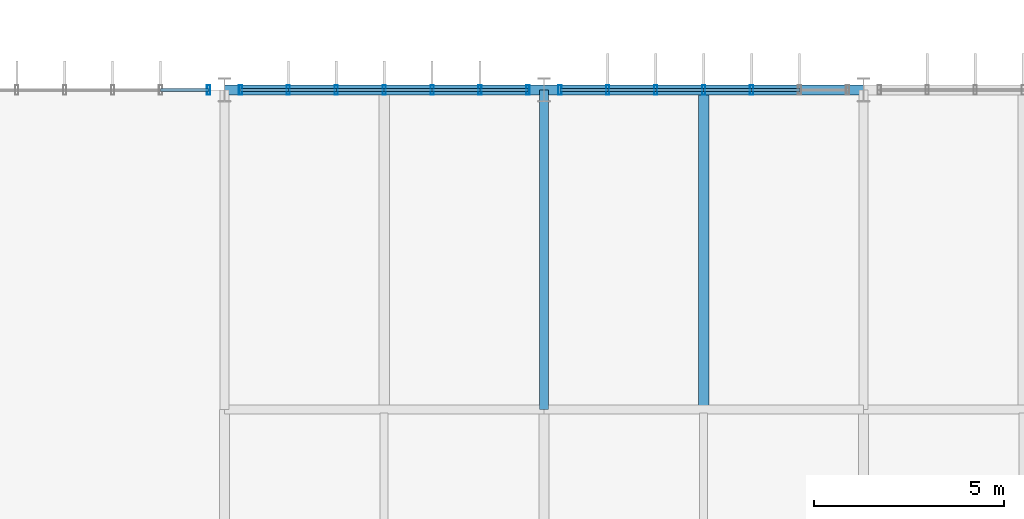
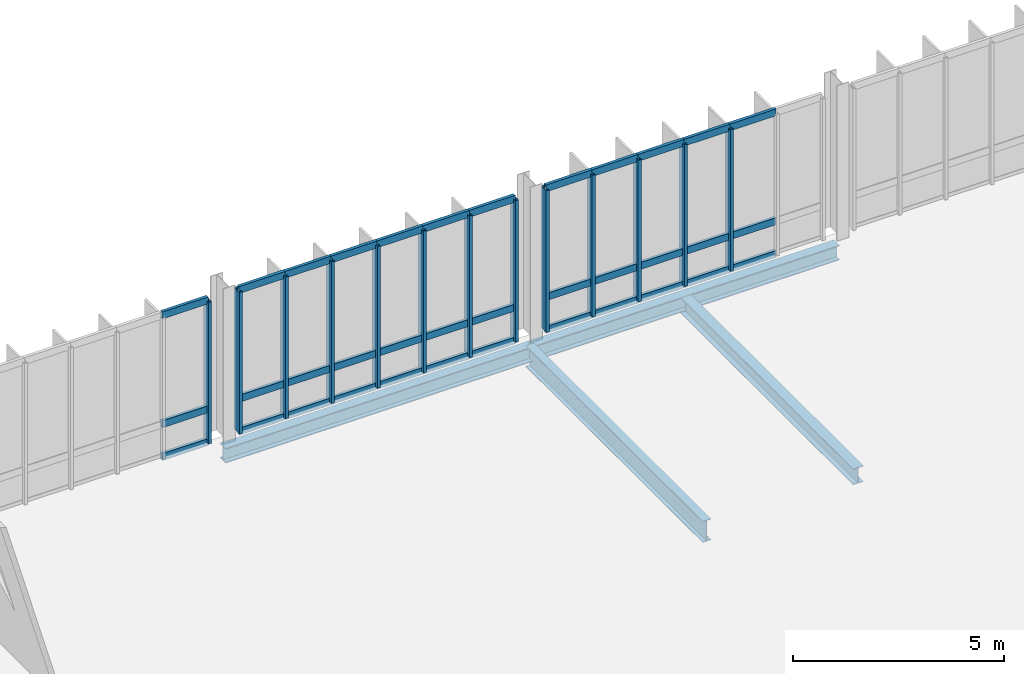
# One storey, part 71 of 139: 49 members, 4 beams, 3 elements without a shape of their own.
"""IFC4 building model written with IfcOpenShell, lengths in metres."""

from ifc_helpers import new_model, si_unit, derived_unit, direction, frame, origin, origin_2d, place, context, subcontext, project, spatial, hollow_rectangle, i_section, extrude, material, layer, layer_set, material_profile, profile_set, type_object, element, aggregate, save


model = new_model("IFC4")

# Units and contexts
model_context = context("Model", 3, precision=1e-05, world=origin(), true_north=direction((0.0, 1.0)))
body_context = subcontext(model_context, "Body", "Model", "MODEL_VIEW")
ifc_project = project(units=[si_unit("LENGTHUNIT", "METRE"), si_unit("AREAUNIT", "SQUARE_METRE"), si_unit("VOLUMEUNIT", "CUBIC_METRE"), si_unit("PLANEANGLEUNIT", "RADIAN"), si_unit("MASSUNIT", "GRAM", prefix="KILO"), derived_unit("THERMALTRANSMITTANCEUNIT", [(si_unit("MASSUNIT", "GRAM", prefix="KILO"), 1), (si_unit("TIMEUNIT", "SECOND"), -3), (si_unit("THERMODYNAMICTEMPERATUREUNIT", "KELVIN"), -1)])], contexts=[model_context])

# Site, building, storey
site_placement = place(None, origin())
site = spatial("IfcSite", under=ifc_project, at=site_placement, CompositionType="ELEMENT")
building_placement = place(site_placement, origin())
building = spatial("IfcBuilding", under=site, at=building_placement, Name="Makaiwela Harbour Ferry Terminal", CompositionType="ELEMENT")
storey_placement = place(building_placement, frame((0.0, 0.0, 5.10009765625)))
storey = spatial("IfcBuildingStorey", under=building, at=storey_placement, Name="L01", CompositionType="ELEMENT", Elevation=5.10009765625)

# Curtain wall, member
ifc_material_1 = material(Name="Marine anodised aluminium 6063-T6", Category="aluminium")
ifc_layer = layer(ifc_material_1, 0.199951171875)
ifc_layer_set = layer_set([ifc_layer], Name="Marine anodised aluminium 6063-T6")
curtain_wall_type = type_object("IfcCurtainWallType", Name="ENV-CW-08", PredefinedType="USERDEFINED", material=ifc_layer_set)
curtain_wall_1_placement = place(storey_placement, origin())
curtain_wall_1 = element("IfcCurtainWall", 1, at=curtain_wall_1_placement, inside=storey, type_object=curtain_wall_type, Name="Unitised Curtain Wall CWA-084", ObjectType="UNITIZED CURTAIN WALL", PredefinedType="USERDEFINED")
ifc_material_profile_1 = material_profile(ifc_material_1, hollow_rectangle(XDim=0.0849609375, YDim=0.25, WallThickness=0.0048828125, at=origin_2d()), Name="CWM-250X85")
ifc_profile_set_1 = profile_set([ifc_material_profile_1], Name="Marine anodised aluminium 6063-T6")
member_type_1 = type_object("IfcMemberType", Name="CW-MUL-250", PredefinedType="MULLION", material=ifc_profile_set_1)
member_1_placement = place(storey_placement, frame((112.97998046875, 103.39990234375, 0.0), z_axis=(0.0, 0.0, 1.0), x_axis=(1.0, 0.0, 0.0)))
member_1 = element("IfcMember", 2, at=member_1_placement, type_object=member_type_1, Name="Curtain Wall Mullion CWA-084-7", PredefinedType="MULLION", context=body_context, shape_type="SweptSolid", body=[
    extrude(hollow_rectangle(XDim=0.0849609375, YDim=0.25, WallThickness=0.0048828125, at=origin_2d()), origin(), (0.0, 0.0, 1.0), 4.099853515625),
])

# Curtain wall, members
curtain_wall_2_placement = place(storey_placement, origin())
curtain_wall_2 = element("IfcCurtainWall", 3, at=curtain_wall_2_placement, inside=storey, type_object=curtain_wall_type, Name="Unitised Curtain Wall CWA-087", ObjectType="UNITIZED CURTAIN WALL", PredefinedType="USERDEFINED")
member_2_placement = place(storey_placement, frame((113.820068359375, 103.39990234375, 0.0), z_axis=(0.0, 0.0, 1.0), x_axis=(1.0, 0.0, 0.0)))
member_2 = element("IfcMember", 4, at=member_2_placement, type_object=member_type_1, Name="Curtain Wall Mullion CWA-087-1", PredefinedType="MULLION", context=body_context, shape_type="SweptSolid", body=[
    extrude(hollow_rectangle(XDim=0.0849609375, YDim=0.25, WallThickness=0.0048828125, at=origin_2d()), origin(), (0.0, 0.0, 1.0), 4.099853515625),
])
member_3_placement = place(storey_placement, frame((115.080078125, 103.39990234375, 0.0), z_axis=(0.0, 0.0, 1.0), x_axis=(1.0, 0.0, 0.0)))
member_3 = element("IfcMember", 5, at=member_3_placement, type_object=member_type_1, Name="Curtain Wall Mullion CWA-087-2", PredefinedType="MULLION", context=body_context, shape_type="SweptSolid", body=[
    extrude(hollow_rectangle(XDim=0.0849609375, YDim=0.25, WallThickness=0.0048828125, at=origin_2d()), origin(), (0.0, 0.0, 1.0), 4.099853515625),
])
member_4_placement = place(storey_placement, frame((116.340087890625, 103.39990234375, 0.0), z_axis=(0.0, 0.0, 1.0), x_axis=(1.0, 0.0, 0.0)))
member_4 = element("IfcMember", 6, at=member_4_placement, type_object=member_type_1, Name="Curtain Wall Mullion CWA-087-3", PredefinedType="MULLION", context=body_context, shape_type="SweptSolid", body=[
    extrude(hollow_rectangle(XDim=0.0849609375, YDim=0.25, WallThickness=0.0048828125, at=origin_2d()), origin(), (0.0, 0.0, 1.0), 4.099853515625),
])
member_5_placement = place(storey_placement, frame((117.60009765625, 103.39990234375, 0.0), z_axis=(0.0, 0.0, 1.0), x_axis=(1.0, 0.0, 0.0)))
member_5 = element("IfcMember", 7, at=member_5_placement, type_object=member_type_1, Name="Curtain Wall Mullion CWA-087-4", PredefinedType="MULLION", context=body_context, shape_type="SweptSolid", body=[
    extrude(hollow_rectangle(XDim=0.0849609375, YDim=0.25, WallThickness=0.0048828125, at=origin_2d()), origin(), (0.0, 0.0, 1.0), 4.099853515625),
])
member_6_placement = place(storey_placement, frame((118.860107421875, 103.39990234375, 0.0), z_axis=(0.0, 0.0, 1.0), x_axis=(1.0, 0.0, 0.0)))
member_6 = element("IfcMember", 8, at=member_6_placement, type_object=member_type_1, Name="Curtain Wall Mullion CWA-087-5", PredefinedType="MULLION", context=body_context, shape_type="SweptSolid", body=[
    extrude(hollow_rectangle(XDim=0.0849609375, YDim=0.25, WallThickness=0.0048828125, at=origin_2d()), origin(), (0.0, 0.0, 1.0), 4.099853515625),
])
member_7_placement = place(storey_placement, frame((120.1201171875, 103.39990234375, 0.0), z_axis=(0.0, 0.0, 1.0), x_axis=(1.0, 0.0, 0.0)))
member_7 = element("IfcMember", 9, at=member_7_placement, type_object=member_type_1, Name="Curtain Wall Mullion CWA-087-6", PredefinedType="MULLION", context=body_context, shape_type="SweptSolid", body=[
    extrude(hollow_rectangle(XDim=0.0849609375, YDim=0.25, WallThickness=0.0048828125, at=origin_2d()), origin(), (0.0, 0.0, 1.0), 4.099853515625),
])
member_8_placement = place(storey_placement, frame((121.3798828125, 103.39990234375, 0.0), z_axis=(0.0, 0.0, 1.0), x_axis=(1.0, 0.0, 0.0)))
member_8 = element("IfcMember", 10, at=member_8_placement, type_object=member_type_1, Name="Curtain Wall Mullion CWA-087-7", PredefinedType="MULLION", context=body_context, shape_type="SweptSolid", body=[
    extrude(hollow_rectangle(XDim=0.0849609375, YDim=0.25, WallThickness=0.0048828125, at=origin_2d()), origin(), (0.0, 0.0, 1.0), 4.099853515625),
])

curtain_wall_3_placement = place(storey_placement, origin())
curtain_wall_3 = element("IfcCurtainWall", 11, at=curtain_wall_3_placement, inside=storey, type_object=curtain_wall_type, Name="Unitised Curtain Wall CWA-091", ObjectType="UNITIZED CURTAIN WALL", PredefinedType="USERDEFINED")
member_9_placement = place(storey_placement, frame((122.219970703125, 103.39990234375, 0.0), z_axis=(0.0, 0.0, 1.0), x_axis=(1.0, 0.0, 0.0)))
member_9 = element("IfcMember", 12, at=member_9_placement, type_object=member_type_1, Name="Curtain Wall Mullion CWA-091-1", PredefinedType="MULLION", context=body_context, shape_type="SweptSolid", body=[
    extrude(hollow_rectangle(XDim=0.0849609375, YDim=0.25, WallThickness=0.0048828125, at=origin_2d()), origin(), (0.0, 0.0, 1.0), 4.099853515625),
])
member_10_placement = place(storey_placement, frame((123.47998046875, 103.39990234375, 0.0), z_axis=(0.0, 0.0, 1.0), x_axis=(1.0, 0.0, 0.0)))
member_10 = element("IfcMember", 13, at=member_10_placement, type_object=member_type_1, Name="Curtain Wall Mullion CWA-091-2", PredefinedType="MULLION", context=body_context, shape_type="SweptSolid", body=[
    extrude(hollow_rectangle(XDim=0.0849609375, YDim=0.25, WallThickness=0.0048828125, at=origin_2d()), origin(), (0.0, 0.0, 1.0), 4.099853515625),
])
member_11_placement = place(storey_placement, frame((124.739990234375, 103.39990234375, 0.0), z_axis=(0.0, 0.0, 1.0), x_axis=(1.0, 0.0, 0.0)))
member_11 = element("IfcMember", 14, at=member_11_placement, type_object=member_type_1, Name="Curtain Wall Mullion CWA-091-3", PredefinedType="MULLION", context=body_context, shape_type="SweptSolid", body=[
    extrude(hollow_rectangle(XDim=0.0849609375, YDim=0.25, WallThickness=0.0048828125, at=origin_2d()), origin(), (0.0, 0.0, 1.0), 4.099853515625),
])
member_12_placement = place(storey_placement, frame((126.0, 103.39990234375, 0.0), z_axis=(0.0, 0.0, 1.0), x_axis=(1.0, 0.0, 0.0)))
member_12 = element("IfcMember", 15, at=member_12_placement, type_object=member_type_1, Name="Curtain Wall Mullion CWA-091-4", PredefinedType="MULLION", context=body_context, shape_type="SweptSolid", body=[
    extrude(hollow_rectangle(XDim=0.0849609375, YDim=0.25, WallThickness=0.0048828125, at=origin_2d()), origin(), (0.0, 0.0, 1.0), 4.099853515625),
])
member_13_placement = place(storey_placement, frame((127.260009765625, 103.39990234375, 0.0), z_axis=(0.0, 0.0, 1.0), x_axis=(1.0, 0.0, 0.0)))
member_13 = element("IfcMember", 16, at=member_13_placement, type_object=member_type_1, Name="Curtain Wall Mullion CWA-091-5", PredefinedType="MULLION", context=body_context, shape_type="SweptSolid", body=[
    extrude(hollow_rectangle(XDim=0.0849609375, YDim=0.25, WallThickness=0.0048828125, at=origin_2d()), origin(), (0.0, 0.0, 1.0), 4.099853515625),
])

# Member
ifc_material_profile_2 = material_profile(ifc_material_1, hollow_rectangle(XDim=0.0849609375, YDim=0.199951171875, WallThickness=0.0048828125, at=origin_2d()), Name="CWT-200X85")
ifc_profile_set_2 = profile_set([ifc_material_profile_2], Name="Marine anodised aluminium 6063-T6")
member_type_2 = type_object("IfcMemberType", Name="CW-TRN-200", PredefinedType="USERDEFINED", material=ifc_profile_set_2)
member_14_placement = place(storey_placement, frame((111.719970703125, 103.39990234375, 0.0), z_axis=(1.0, 0.0, 0.0), x_axis=(0.0, 1.0, 0.0)))
member_14 = element("IfcMember", 17, at=member_14_placement, type_object=member_type_2, Name="Curtain Wall Transom CWA-084-6-1", ObjectType="TRANSOM", PredefinedType="USERDEFINED", context=body_context, shape_type="SweptSolid", body=[
    extrude(hollow_rectangle(XDim=0.0849609375, YDim=0.199951171875, WallThickness=0.0048828125, at=origin_2d()), origin(), (0.0, 0.0, 1.0), 1.260009765625),
])

member_15_placement = place(storey_placement, frame((111.719970703125, 103.39990234375, 0.949951171875), z_axis=(1.0, 0.0, 0.0), x_axis=(0.0, 1.0, 0.0)))
member_15 = element("IfcMember", 18, at=member_15_placement, type_object=member_type_2, Name="Curtain Wall Transom CWA-084-6-2", ObjectType="TRANSOM", PredefinedType="USERDEFINED", context=body_context, shape_type="SweptSolid", body=[
    extrude(hollow_rectangle(XDim=0.0849609375, YDim=0.199951171875, WallThickness=0.0048828125, at=origin_2d()), origin(), (0.0, 0.0, 1.0), 1.260009765625),
])

member_16_placement = place(storey_placement, frame((111.719970703125, 103.39990234375, 4.099853515625), z_axis=(1.0, 0.0, 0.0), x_axis=(0.0, 1.0, 0.0)))
member_16 = element("IfcMember", 19, at=member_16_placement, type_object=member_type_2, Name="Curtain Wall Transom CWA-084-6-3", ObjectType="TRANSOM", PredefinedType="USERDEFINED", context=body_context, shape_type="SweptSolid", body=[
    extrude(hollow_rectangle(XDim=0.0849609375, YDim=0.199951171875, WallThickness=0.0048828125, at=origin_2d()), origin(), (0.0, 0.0, 1.0), 1.260009765625),
])

aggregate(curtain_wall_1, [member_1, member_14, member_15, member_16])

member_17_placement = place(storey_placement, frame((113.820068359375, 103.39990234375, 0.0), z_axis=(1.0, 0.0, 0.0), x_axis=(0.0, 1.0, 0.0)))
member_17 = element("IfcMember", 20, at=member_17_placement, type_object=member_type_2, Name="Curtain Wall Transom CWA-087-1-1", ObjectType="TRANSOM", PredefinedType="USERDEFINED", context=body_context, shape_type="SweptSolid", body=[
    extrude(hollow_rectangle(XDim=0.0849609375, YDim=0.199951171875, WallThickness=0.0048828125, at=origin_2d()), origin(), (0.0, 0.0, 1.0), 1.260009765625),
])

member_18_placement = place(storey_placement, frame((113.820068359375, 103.39990234375, 0.949951171875), z_axis=(1.0, 0.0, 0.0), x_axis=(0.0, 1.0, 0.0)))
member_18 = element("IfcMember", 21, at=member_18_placement, type_object=member_type_2, Name="Curtain Wall Transom CWA-087-1-2", ObjectType="TRANSOM", PredefinedType="USERDEFINED", context=body_context, shape_type="SweptSolid", body=[
    extrude(hollow_rectangle(XDim=0.0849609375, YDim=0.199951171875, WallThickness=0.0048828125, at=origin_2d()), origin(), (0.0, 0.0, 1.0), 1.260009765625),
])

member_19_placement = place(storey_placement, frame((113.820068359375, 103.39990234375, 4.099853515625), z_axis=(1.0, 0.0, 0.0), x_axis=(0.0, 1.0, 0.0)))
member_19 = element("IfcMember", 22, at=member_19_placement, type_object=member_type_2, Name="Curtain Wall Transom CWA-087-1-3", ObjectType="TRANSOM", PredefinedType="USERDEFINED", context=body_context, shape_type="SweptSolid", body=[
    extrude(hollow_rectangle(XDim=0.0849609375, YDim=0.199951171875, WallThickness=0.0048828125, at=origin_2d()), origin(), (0.0, 0.0, 1.0), 1.260009765625),
])

member_20_placement = place(storey_placement, frame((115.080078125, 103.39990234375, 0.0), z_axis=(1.0, 0.0, 0.0), x_axis=(0.0, 1.0, 0.0)))
member_20 = element("IfcMember", 23, at=member_20_placement, type_object=member_type_2, Name="Curtain Wall Transom CWA-087-2-1", ObjectType="TRANSOM", PredefinedType="USERDEFINED", context=body_context, shape_type="SweptSolid", body=[
    extrude(hollow_rectangle(XDim=0.0849609375, YDim=0.199951171875, WallThickness=0.0048828125, at=origin_2d()), origin(), (0.0, 0.0, 1.0), 1.260009765625),
])

member_21_placement = place(storey_placement, frame((115.080078125, 103.39990234375, 0.949951171875), z_axis=(1.0, 0.0, 0.0), x_axis=(0.0, 1.0, 0.0)))
member_21 = element("IfcMember", 24, at=member_21_placement, type_object=member_type_2, Name="Curtain Wall Transom CWA-087-2-2", ObjectType="TRANSOM", PredefinedType="USERDEFINED", context=body_context, shape_type="SweptSolid", body=[
    extrude(hollow_rectangle(XDim=0.0849609375, YDim=0.199951171875, WallThickness=0.0048828125, at=origin_2d()), origin(), (0.0, 0.0, 1.0), 1.260009765625),
])

member_22_placement = place(storey_placement, frame((115.080078125, 103.39990234375, 4.099853515625), z_axis=(1.0, 0.0, 0.0), x_axis=(0.0, 1.0, 0.0)))
member_22 = element("IfcMember", 25, at=member_22_placement, type_object=member_type_2, Name="Curtain Wall Transom CWA-087-2-3", ObjectType="TRANSOM", PredefinedType="USERDEFINED", context=body_context, shape_type="SweptSolid", body=[
    extrude(hollow_rectangle(XDim=0.0849609375, YDim=0.199951171875, WallThickness=0.0048828125, at=origin_2d()), origin(), (0.0, 0.0, 1.0), 1.260009765625),
])

member_23_placement = place(storey_placement, frame((116.340087890625, 103.39990234375, 0.0), z_axis=(1.0, 0.0, 0.0), x_axis=(0.0, 1.0, 0.0)))
member_23 = element("IfcMember", 26, at=member_23_placement, type_object=member_type_2, Name="Curtain Wall Transom CWA-087-3-1", ObjectType="TRANSOM", PredefinedType="USERDEFINED", context=body_context, shape_type="SweptSolid", body=[
    extrude(hollow_rectangle(XDim=0.0849609375, YDim=0.199951171875, WallThickness=0.0048828125, at=origin_2d()), origin(), (0.0, 0.0, 1.0), 1.260009765625),
])

member_24_placement = place(storey_placement, frame((116.340087890625, 103.39990234375, 0.949951171875), z_axis=(1.0, 0.0, 0.0), x_axis=(0.0, 1.0, 0.0)))
member_24 = element("IfcMember", 27, at=member_24_placement, type_object=member_type_2, Name="Curtain Wall Transom CWA-087-3-2", ObjectType="TRANSOM", PredefinedType="USERDEFINED", context=body_context, shape_type="SweptSolid", body=[
    extrude(hollow_rectangle(XDim=0.0849609375, YDim=0.199951171875, WallThickness=0.0048828125, at=origin_2d()), origin(), (0.0, 0.0, 1.0), 1.260009765625),
])

member_25_placement = place(storey_placement, frame((116.340087890625, 103.39990234375, 4.099853515625), z_axis=(1.0, 0.0, 0.0), x_axis=(0.0, 1.0, 0.0)))
member_25 = element("IfcMember", 28, at=member_25_placement, type_object=member_type_2, Name="Curtain Wall Transom CWA-087-3-3", ObjectType="TRANSOM", PredefinedType="USERDEFINED", context=body_context, shape_type="SweptSolid", body=[
    extrude(hollow_rectangle(XDim=0.0849609375, YDim=0.199951171875, WallThickness=0.0048828125, at=origin_2d()), origin(), (0.0, 0.0, 1.0), 1.260009765625),
])

member_26_placement = place(storey_placement, frame((117.60009765625, 103.39990234375, 0.0), z_axis=(1.0, 0.0, 0.0), x_axis=(0.0, 1.0, 0.0)))
member_26 = element("IfcMember", 29, at=member_26_placement, type_object=member_type_2, Name="Curtain Wall Transom CWA-087-4-1", ObjectType="TRANSOM", PredefinedType="USERDEFINED", context=body_context, shape_type="SweptSolid", body=[
    extrude(hollow_rectangle(XDim=0.0849609375, YDim=0.199951171875, WallThickness=0.0048828125, at=origin_2d()), origin(), (0.0, 0.0, 1.0), 1.260009765625),
])

member_27_placement = place(storey_placement, frame((117.60009765625, 103.39990234375, 0.949951171875), z_axis=(1.0, 0.0, 0.0), x_axis=(0.0, 1.0, 0.0)))
member_27 = element("IfcMember", 30, at=member_27_placement, type_object=member_type_2, Name="Curtain Wall Transom CWA-087-4-2", ObjectType="TRANSOM", PredefinedType="USERDEFINED", context=body_context, shape_type="SweptSolid", body=[
    extrude(hollow_rectangle(XDim=0.0849609375, YDim=0.199951171875, WallThickness=0.0048828125, at=origin_2d()), origin(), (0.0, 0.0, 1.0), 1.260009765625),
])

member_28_placement = place(storey_placement, frame((117.60009765625, 103.39990234375, 4.099853515625), z_axis=(1.0, 0.0, 0.0), x_axis=(0.0, 1.0, 0.0)))
member_28 = element("IfcMember", 31, at=member_28_placement, type_object=member_type_2, Name="Curtain Wall Transom CWA-087-4-3", ObjectType="TRANSOM", PredefinedType="USERDEFINED", context=body_context, shape_type="SweptSolid", body=[
    extrude(hollow_rectangle(XDim=0.0849609375, YDim=0.199951171875, WallThickness=0.0048828125, at=origin_2d()), origin(), (0.0, 0.0, 1.0), 1.260009765625),
])

member_29_placement = place(storey_placement, frame((118.860107421875, 103.39990234375, 0.0), z_axis=(1.0, 0.0, 0.0), x_axis=(0.0, 1.0, 0.0)))
member_29 = element("IfcMember", 32, at=member_29_placement, type_object=member_type_2, Name="Curtain Wall Transom CWA-087-5-1", ObjectType="TRANSOM", PredefinedType="USERDEFINED", context=body_context, shape_type="SweptSolid", body=[
    extrude(hollow_rectangle(XDim=0.0849609375, YDim=0.199951171875, WallThickness=0.0048828125, at=origin_2d()), origin(), (0.0, 0.0, 1.0), 1.260009765625),
])

member_30_placement = place(storey_placement, frame((118.860107421875, 103.39990234375, 0.949951171875), z_axis=(1.0, 0.0, 0.0), x_axis=(0.0, 1.0, 0.0)))
member_30 = element("IfcMember", 33, at=member_30_placement, type_object=member_type_2, Name="Curtain Wall Transom CWA-087-5-2", ObjectType="TRANSOM", PredefinedType="USERDEFINED", context=body_context, shape_type="SweptSolid", body=[
    extrude(hollow_rectangle(XDim=0.0849609375, YDim=0.199951171875, WallThickness=0.0048828125, at=origin_2d()), origin(), (0.0, 0.0, 1.0), 1.260009765625),
])

member_31_placement = place(storey_placement, frame((118.860107421875, 103.39990234375, 4.099853515625), z_axis=(1.0, 0.0, 0.0), x_axis=(0.0, 1.0, 0.0)))
member_31 = element("IfcMember", 34, at=member_31_placement, type_object=member_type_2, Name="Curtain Wall Transom CWA-087-5-3", ObjectType="TRANSOM", PredefinedType="USERDEFINED", context=body_context, shape_type="SweptSolid", body=[
    extrude(hollow_rectangle(XDim=0.0849609375, YDim=0.199951171875, WallThickness=0.0048828125, at=origin_2d()), origin(), (0.0, 0.0, 1.0), 1.260009765625),
])

member_32_placement = place(storey_placement, frame((120.1201171875, 103.39990234375, 0.0), z_axis=(1.0, 0.0, 0.0), x_axis=(0.0, 1.0, 0.0)))
member_32 = element("IfcMember", 35, at=member_32_placement, type_object=member_type_2, Name="Curtain Wall Transom CWA-087-6-1", ObjectType="TRANSOM", PredefinedType="USERDEFINED", context=body_context, shape_type="SweptSolid", body=[
    extrude(hollow_rectangle(XDim=0.0849609375, YDim=0.199951171875, WallThickness=0.0048828125, at=origin_2d()), origin(), (0.0, 0.0, 1.0), 1.259765625),
])

member_33_placement = place(storey_placement, frame((120.1201171875, 103.39990234375, 0.949951171875), z_axis=(1.0, 0.0, 0.0), x_axis=(0.0, 1.0, 0.0)))
member_33 = element("IfcMember", 36, at=member_33_placement, type_object=member_type_2, Name="Curtain Wall Transom CWA-087-6-2", ObjectType="TRANSOM", PredefinedType="USERDEFINED", context=body_context, shape_type="SweptSolid", body=[
    extrude(hollow_rectangle(XDim=0.0849609375, YDim=0.199951171875, WallThickness=0.0048828125, at=origin_2d()), origin(), (0.0, 0.0, 1.0), 1.259765625),
])

member_34_placement = place(storey_placement, frame((120.1201171875, 103.39990234375, 4.099853515625), z_axis=(1.0, 0.0, 0.0), x_axis=(0.0, 1.0, 0.0)))
member_34 = element("IfcMember", 37, at=member_34_placement, type_object=member_type_2, Name="Curtain Wall Transom CWA-087-6-3", ObjectType="TRANSOM", PredefinedType="USERDEFINED", context=body_context, shape_type="SweptSolid", body=[
    extrude(hollow_rectangle(XDim=0.0849609375, YDim=0.199951171875, WallThickness=0.0048828125, at=origin_2d()), origin(), (0.0, 0.0, 1.0), 1.259765625),
])

aggregate(curtain_wall_2, [member_2, member_3, member_4, member_5, member_6, member_7, member_8, member_17, member_18, member_19, member_20, member_21, member_22, member_23, member_24, member_25, member_26, member_27, member_28, member_29, member_30, member_31, member_32, member_33, member_34])

member_35_placement = place(storey_placement, frame((122.219970703125, 103.39990234375, 0.0), z_axis=(1.0, 0.0, 0.0), x_axis=(0.0, 1.0, 0.0)))
member_35 = element("IfcMember", 38, at=member_35_placement, type_object=member_type_2, Name="Curtain Wall Transom CWA-091-1-1", ObjectType="TRANSOM", PredefinedType="USERDEFINED", context=body_context, shape_type="SweptSolid", body=[
    extrude(hollow_rectangle(XDim=0.0849609375, YDim=0.199951171875, WallThickness=0.0048828125, at=origin_2d()), origin(), (0.0, 0.0, 1.0), 1.260009765625),
])

member_36_placement = place(storey_placement, frame((122.219970703125, 103.39990234375, 0.949951171875), z_axis=(1.0, 0.0, 0.0), x_axis=(0.0, 1.0, 0.0)))
member_36 = element("IfcMember", 39, at=member_36_placement, type_object=member_type_2, Name="Curtain Wall Transom CWA-091-1-2", ObjectType="TRANSOM", PredefinedType="USERDEFINED", context=body_context, shape_type="SweptSolid", body=[
    extrude(hollow_rectangle(XDim=0.0849609375, YDim=0.199951171875, WallThickness=0.0048828125, at=origin_2d()), origin(), (0.0, 0.0, 1.0), 1.260009765625),
])

member_37_placement = place(storey_placement, frame((122.219970703125, 103.39990234375, 4.099853515625), z_axis=(1.0, 0.0, 0.0), x_axis=(0.0, 1.0, 0.0)))
member_37 = element("IfcMember", 40, at=member_37_placement, type_object=member_type_2, Name="Curtain Wall Transom CWA-091-1-3", ObjectType="TRANSOM", PredefinedType="USERDEFINED", context=body_context, shape_type="SweptSolid", body=[
    extrude(hollow_rectangle(XDim=0.0849609375, YDim=0.199951171875, WallThickness=0.0048828125, at=origin_2d()), origin(), (0.0, 0.0, 1.0), 1.260009765625),
])

member_38_placement = place(storey_placement, frame((123.47998046875, 103.39990234375, 0.0), z_axis=(1.0, 0.0, 0.0), x_axis=(0.0, 1.0, 0.0)))
member_38 = element("IfcMember", 41, at=member_38_placement, type_object=member_type_2, Name="Curtain Wall Transom CWA-091-2-1", ObjectType="TRANSOM", PredefinedType="USERDEFINED", context=body_context, shape_type="SweptSolid", body=[
    extrude(hollow_rectangle(XDim=0.0849609375, YDim=0.199951171875, WallThickness=0.0048828125, at=origin_2d()), origin(), (0.0, 0.0, 1.0), 1.260009765625),
])

member_39_placement = place(storey_placement, frame((123.47998046875, 103.39990234375, 0.949951171875), z_axis=(1.0, 0.0, 0.0), x_axis=(0.0, 1.0, 0.0)))
member_39 = element("IfcMember", 42, at=member_39_placement, type_object=member_type_2, Name="Curtain Wall Transom CWA-091-2-2", ObjectType="TRANSOM", PredefinedType="USERDEFINED", context=body_context, shape_type="SweptSolid", body=[
    extrude(hollow_rectangle(XDim=0.0849609375, YDim=0.199951171875, WallThickness=0.0048828125, at=origin_2d()), origin(), (0.0, 0.0, 1.0), 1.260009765625),
])

member_40_placement = place(storey_placement, frame((123.47998046875, 103.39990234375, 4.099853515625), z_axis=(1.0, 0.0, 0.0), x_axis=(0.0, 1.0, 0.0)))
member_40 = element("IfcMember", 43, at=member_40_placement, type_object=member_type_2, Name="Curtain Wall Transom CWA-091-2-3", ObjectType="TRANSOM", PredefinedType="USERDEFINED", context=body_context, shape_type="SweptSolid", body=[
    extrude(hollow_rectangle(XDim=0.0849609375, YDim=0.199951171875, WallThickness=0.0048828125, at=origin_2d()), origin(), (0.0, 0.0, 1.0), 1.260009765625),
])

member_41_placement = place(storey_placement, frame((124.739990234375, 103.39990234375, 0.0), z_axis=(1.0, 0.0, 0.0), x_axis=(0.0, 1.0, 0.0)))
member_41 = element("IfcMember", 44, at=member_41_placement, type_object=member_type_2, Name="Curtain Wall Transom CWA-091-3-1", ObjectType="TRANSOM", PredefinedType="USERDEFINED", context=body_context, shape_type="SweptSolid", body=[
    extrude(hollow_rectangle(XDim=0.0849609375, YDim=0.199951171875, WallThickness=0.0048828125, at=origin_2d()), origin(), (0.0, 0.0, 1.0), 1.260009765625),
])

member_42_placement = place(storey_placement, frame((124.739990234375, 103.39990234375, 0.949951171875), z_axis=(1.0, 0.0, 0.0), x_axis=(0.0, 1.0, 0.0)))
member_42 = element("IfcMember", 45, at=member_42_placement, type_object=member_type_2, Name="Curtain Wall Transom CWA-091-3-2", ObjectType="TRANSOM", PredefinedType="USERDEFINED", context=body_context, shape_type="SweptSolid", body=[
    extrude(hollow_rectangle(XDim=0.0849609375, YDim=0.199951171875, WallThickness=0.0048828125, at=origin_2d()), origin(), (0.0, 0.0, 1.0), 1.260009765625),
])

member_43_placement = place(storey_placement, frame((124.739990234375, 103.39990234375, 4.099853515625), z_axis=(1.0, 0.0, 0.0), x_axis=(0.0, 1.0, 0.0)))
member_43 = element("IfcMember", 46, at=member_43_placement, type_object=member_type_2, Name="Curtain Wall Transom CWA-091-3-3", ObjectType="TRANSOM", PredefinedType="USERDEFINED", context=body_context, shape_type="SweptSolid", body=[
    extrude(hollow_rectangle(XDim=0.0849609375, YDim=0.199951171875, WallThickness=0.0048828125, at=origin_2d()), origin(), (0.0, 0.0, 1.0), 1.260009765625),
])

member_44_placement = place(storey_placement, frame((126.0, 103.39990234375, 0.0), z_axis=(1.0, 0.0, 0.0), x_axis=(0.0, 1.0, 0.0)))
member_44 = element("IfcMember", 47, at=member_44_placement, type_object=member_type_2, Name="Curtain Wall Transom CWA-091-4-1", ObjectType="TRANSOM", PredefinedType="USERDEFINED", context=body_context, shape_type="SweptSolid", body=[
    extrude(hollow_rectangle(XDim=0.0849609375, YDim=0.199951171875, WallThickness=0.0048828125, at=origin_2d()), origin(), (0.0, 0.0, 1.0), 1.260009765625),
])

member_45_placement = place(storey_placement, frame((126.0, 103.39990234375, 0.949951171875), z_axis=(1.0, 0.0, 0.0), x_axis=(0.0, 1.0, 0.0)))
member_45 = element("IfcMember", 48, at=member_45_placement, type_object=member_type_2, Name="Curtain Wall Transom CWA-091-4-2", ObjectType="TRANSOM", PredefinedType="USERDEFINED", context=body_context, shape_type="SweptSolid", body=[
    extrude(hollow_rectangle(XDim=0.0849609375, YDim=0.199951171875, WallThickness=0.0048828125, at=origin_2d()), origin(), (0.0, 0.0, 1.0), 1.260009765625),
])

member_46_placement = place(storey_placement, frame((126.0, 103.39990234375, 4.099853515625), z_axis=(1.0, 0.0, 0.0), x_axis=(0.0, 1.0, 0.0)))
member_46 = element("IfcMember", 49, at=member_46_placement, type_object=member_type_2, Name="Curtain Wall Transom CWA-091-4-3", ObjectType="TRANSOM", PredefinedType="USERDEFINED", context=body_context, shape_type="SweptSolid", body=[
    extrude(hollow_rectangle(XDim=0.0849609375, YDim=0.199951171875, WallThickness=0.0048828125, at=origin_2d()), origin(), (0.0, 0.0, 1.0), 1.260009765625),
])

member_47_placement = place(storey_placement, frame((127.260009765625, 103.39990234375, 0.0), z_axis=(1.0, 0.0, 0.0), x_axis=(0.0, 1.0, 0.0)))
member_47 = element("IfcMember", 50, at=member_47_placement, type_object=member_type_2, Name="Curtain Wall Transom CWA-091-5-1", ObjectType="TRANSOM", PredefinedType="USERDEFINED", context=body_context, shape_type="SweptSolid", body=[
    extrude(hollow_rectangle(XDim=0.0849609375, YDim=0.199951171875, WallThickness=0.0048828125, at=origin_2d()), origin(), (0.0, 0.0, 1.0), 1.260009765625),
])

member_48_placement = place(storey_placement, frame((127.260009765625, 103.39990234375, 0.949951171875), z_axis=(1.0, 0.0, 0.0), x_axis=(0.0, 1.0, 0.0)))
member_48 = element("IfcMember", 51, at=member_48_placement, type_object=member_type_2, Name="Curtain Wall Transom CWA-091-5-2", ObjectType="TRANSOM", PredefinedType="USERDEFINED", context=body_context, shape_type="SweptSolid", body=[
    extrude(hollow_rectangle(XDim=0.0849609375, YDim=0.199951171875, WallThickness=0.0048828125, at=origin_2d()), origin(), (0.0, 0.0, 1.0), 1.260009765625),
])

member_49_placement = place(storey_placement, frame((127.260009765625, 103.39990234375, 4.099853515625), z_axis=(1.0, 0.0, 0.0), x_axis=(0.0, 1.0, 0.0)))
member_49 = element("IfcMember", 52, at=member_49_placement, type_object=member_type_2, Name="Curtain Wall Transom CWA-091-5-3", ObjectType="TRANSOM", PredefinedType="USERDEFINED", context=body_context, shape_type="SweptSolid", body=[
    extrude(hollow_rectangle(XDim=0.0849609375, YDim=0.199951171875, WallThickness=0.0048828125, at=origin_2d()), origin(), (0.0, 0.0, 1.0), 1.260009765625),
])

aggregate(curtain_wall_3, [member_9, member_10, member_11, member_12, member_13, member_35, member_36, member_37, member_38, member_39, member_40, member_41, member_42, member_43, member_44, member_45, member_46, member_47, member_48, member_49])

# Beams
ifc_material_2 = material(Name="Steel ASTM A992 Grade 50", Category="steel")
ifc_material_profile_3 = material_profile(ifc_material_2, i_section(OverallWidth=0.280029296875, OverallDepth=0.462890625, WebThickness=0.0107421875, FlangeThickness=0.017333984375, at=origin_2d()), Name="W18X76")
ifc_profile_set_3 = profile_set([ifc_material_profile_3], Name="Steel ASTM A992 Grade 50")
beam_type_1 = type_object("IfcBeamType", Name="STR-BM-W18X76", PredefinedType="BEAM", material=ifc_profile_set_3)
beam_1_placement = place(storey_placement, frame((126.0, 95.096435546875, -0.51171875), z_axis=(0.0, 1.0, 0.0), x_axis=(-1.0, 0.0, 0.0)))
element("IfcBeam", 53, at=beam_1_placement, inside=storey, type_object=beam_type_1, Name="Secondary floor beam 1142", PredefinedType="BEAM", context=body_context, shape_type="SweptSolid", body=[
    extrude(i_section(OverallWidth=0.280029296875, OverallDepth=0.462890625, WebThickness=0.0107421875, FlangeThickness=0.017333984375, at=origin_2d()), origin(), (0.0, 0.0, 1.0), 8.18896484375),
])
ifc_material_profile_4 = material_profile(ifc_material_2, i_section(OverallWidth=0.22900390625, OverallDepth=0.612060546875, WebThickness=0.011962890625, FlangeThickness=0.01953125, at=origin_2d()), Name="W24X84")
ifc_profile_set_4 = profile_set([ifc_material_profile_4], Name="Steel ASTM A992 Grade 50")
beam_type_2 = type_object("IfcBeamType", Name="STR-GRD-W24X84", PredefinedType="USERDEFINED", material=ifc_profile_set_4)
beam_2_placement = place(storey_placement, frame((121.800048828125, 95.0, -0.586181640625), z_axis=(0.0, 1.0, 0.0), x_axis=(-1.0, 0.0, 0.0)))
element("IfcBeam", 54, at=beam_2_placement, inside=storey, type_object=beam_type_2, Name="Primary Y girder 999", ObjectType="GIRDER", PredefinedType="USERDEFINED", context=body_context, shape_type="SweptSolid", body=[
    extrude(i_section(OverallWidth=0.22900390625, OverallDepth=0.612060546875, WebThickness=0.011962890625, FlangeThickness=0.01953125, at=origin_2d()), origin(), (0.0, 0.0, 1.0), 8.39990234375),
])
ifc_material_profile_5 = material_profile(ifc_material_2, i_section(OverallWidth=0.264892578125, OverallDepth=0.430908203125, WebThickness=0.014892578125, FlangeThickness=0.02490234375, at=origin_2d()), Name="W16X100")
ifc_profile_set_5 = profile_set([ifc_material_profile_5], Name="Steel ASTM A992 Grade 50")
beam_type_3 = type_object("IfcBeamType", Name="STR-SPN-W16X100", PredefinedType="SPANDREL", material=ifc_profile_set_5)
beam_3_placement = place(storey_placement, frame((113.39990234375, 103.39990234375, -0.49560546875), z_axis=(1.0, 0.0, 0.0), x_axis=(0.0, 1.0, 0.0)))
element("IfcBeam", 55, at=beam_3_placement, inside=storey, type_object=beam_type_3, Name="Primary X girder 904", PredefinedType="SPANDREL", context=body_context, shape_type="SweptSolid", body=[
    extrude(i_section(OverallWidth=0.264892578125, OverallDepth=0.430908203125, WebThickness=0.014892578125, FlangeThickness=0.02490234375, at=origin_2d()), origin(), (0.0, 0.0, 1.0), 8.400146484375),
])
beam_4_placement = place(storey_placement, frame((121.800048828125, 103.39990234375, -0.49560546875), z_axis=(1.0, 0.0, 0.0), x_axis=(0.0, 1.0, 0.0)))
element("IfcBeam", 56, at=beam_4_placement, inside=storey, type_object=beam_type_3, Name="Primary X girder 905", PredefinedType="SPANDREL", context=body_context, shape_type="SweptSolid", body=[
    extrude(i_section(OverallWidth=0.264892578125, OverallDepth=0.430908203125, WebThickness=0.014892578125, FlangeThickness=0.02490234375, at=origin_2d()), origin(), (0.0, 0.0, 1.0), 8.39990234375),
])

save(model, "model.ifc")
